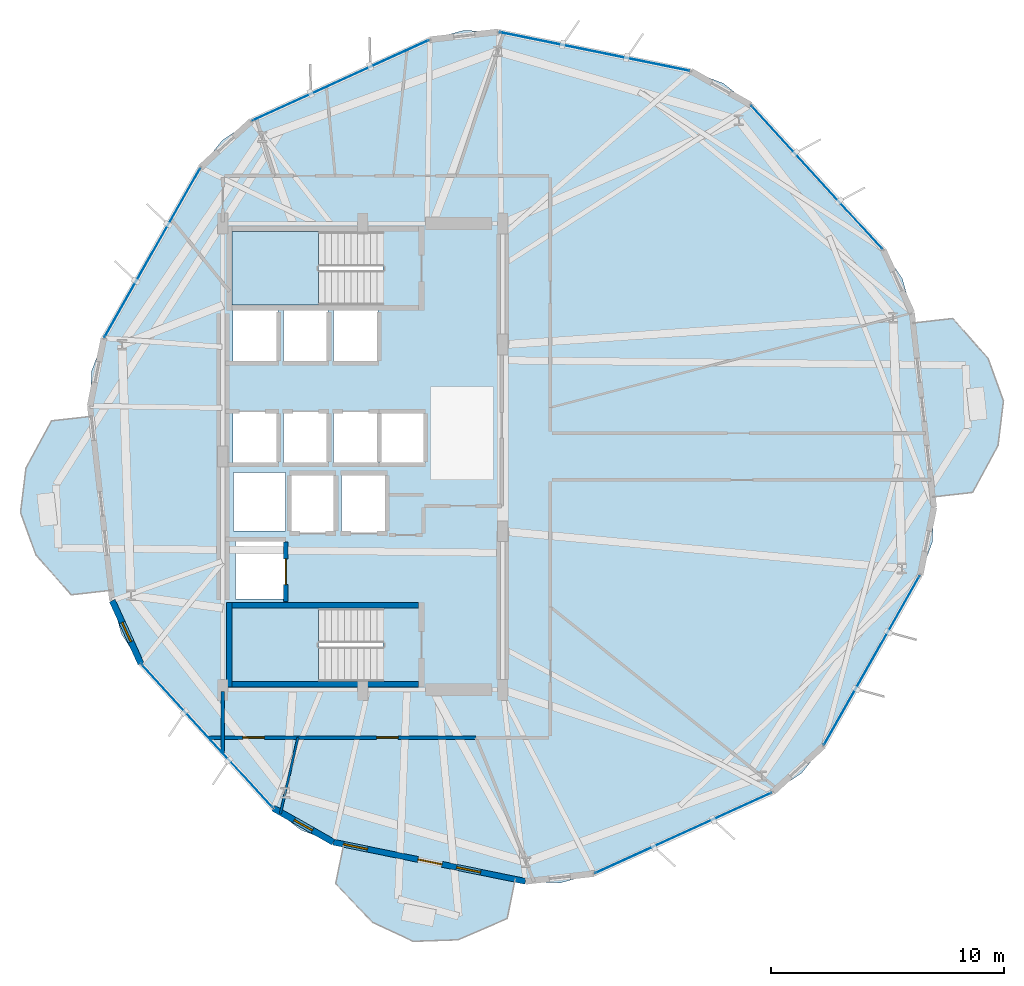
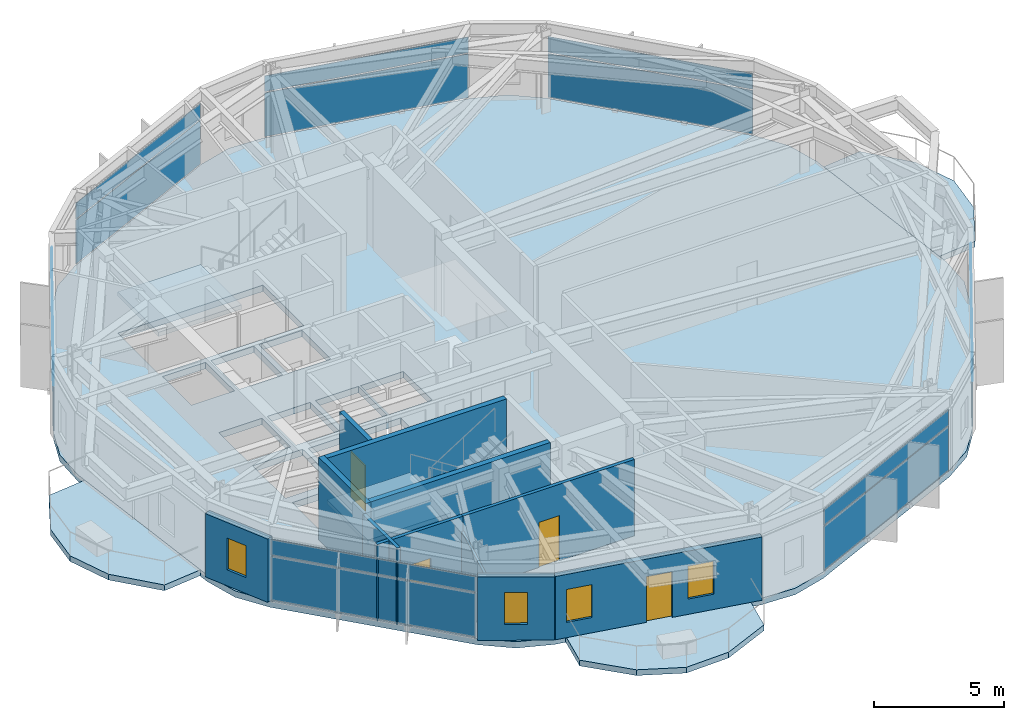
# One storey, part 17 of 23: 14 plates, 11 walls, 6 slabs, 4 doors, 4 windows, 8 openings, 9 elements without a shape of their own.
"""IFC4 building model written with IfcOpenShell, lengths in metres."""

from ifc_helpers import new_model, si_unit, direction, frame, frame_2d, origin, origin_2d, place, context, subcontext, project, spatial, polyline, rectangle, outline, extrude, material, layer, layer_set, type_object, element, fill, aggregate, save


model = new_model("IFC4")

# Units and contexts
model_context = context("Model", 3, precision=1e-05, world=origin(), true_north=direction((0.0, 1.0)))
body_context = subcontext(model_context, "Body", "Model", "MODEL_VIEW")
ifc_project = project(units=[si_unit("LENGTHUNIT", "METRE"), si_unit("AREAUNIT", "SQUARE_METRE"), si_unit("VOLUMEUNIT", "CUBIC_METRE"), si_unit("PLANEANGLEUNIT", "RADIAN"), si_unit("MASSUNIT", "GRAM", prefix="KILO")], contexts=[model_context])

# Site, building, storey
site_placement = place(None, origin())
site = spatial("IfcSite", under=ifc_project, at=site_placement, CompositionType="ELEMENT")
building_placement = place(site_placement, origin())
building = spatial("IfcBuilding", under=site, at=building_placement, Name="Soratama Intermodal Tower", CompositionType="ELEMENT")
storey_placement = place(building_placement, frame((0.0, 0.0, 122.5)))
storey = spatial("IfcBuildingStorey", under=building, at=storey_placement, Name="L29", CompositionType="ELEMENT", Elevation=122.5)

# Curtain wall, plates
ifc_material_1 = material(Name="Double-glazed aluminium curtain wall", Category="aluminium")
ifc_layer_1 = layer(ifc_material_1, 0.159912109375)
ifc_layer_set_1 = layer_set([ifc_layer_1], Name="Double-glazed aluminium curtain wall")
curtain_wall_type = type_object("IfcCurtainWallType", Name="CW-SYS-3", PredefinedType="NOTDEFINED", material=ifc_layer_set_1)
curtain_wall_1_placement = place(storey_placement, origin())
curtain_wall_1 = element("IfcCurtainWall", 1, at=curtain_wall_1_placement, inside=storey, type_object=curtain_wall_type, Name="L29 Faceted Curtain Wall F01", PredefinedType="NOTDEFINED")
ifc_material_2 = material(Name="Low-E laminated double glazing", Category="glass")
ifc_layer_2 = layer(ifc_material_2, 0.028076171875)
ifc_layer_set_2 = layer_set([ifc_layer_2], Name="Low-E laminated double glazing")
plate_type = type_object("IfcPlateType", Name="PT-CWP-3", PredefinedType="CURTAIN_PANEL", material=ifc_layer_set_2)
plate_1_placement = place(storey_placement, frame((58.079345703125, 36.9765625, 0.06005859375), z_axis=(0.0, 0.0, 1.0), x_axis=(-0.675329636073, 0.737516021956, 0.0)))
plate_1 = element("IfcPlate", 2, at=plate_1_placement, type_object=plate_type, Name="CW-3 panel 1.1", PredefinedType="CURTAIN_PANEL", context=body_context, shape_type="SweptSolid", body=[
    extrude(rectangle(XDim=8.285400390625, YDim=0.028076171875, at=origin_2d()), origin(), (0.0, 0.0, 1.0), 2.06005859375),
])
plate_2_placement = place(storey_placement, frame((58.079345703125, 36.9765625, 2.18017578125), z_axis=(0.0, 0.0, 1.0), x_axis=(-0.675329636073, 0.737516021956, 0.0)))
plate_2 = element("IfcPlate", 3, at=plate_2_placement, type_object=plate_type, Name="CW-3 panel 1.2", PredefinedType="CURTAIN_PANEL", context=body_context, shape_type="SweptSolid", body=[
    extrude(rectangle(XDim=8.285400390625, YDim=0.028076171875, at=origin_2d()), origin(), (0.0, 0.0, 1.0), 0.739013671875),
])
aggregate(curtain_wall_1, [plate_1, plate_2])

curtain_wall_2_placement = place(storey_placement, origin())
curtain_wall_2 = element("IfcCurtainWall", 4, at=curtain_wall_2_placement, inside=storey, type_object=curtain_wall_type, Name="L29 Faceted Curtain Wall F02", PredefinedType="NOTDEFINED")
plate_3_placement = place(storey_placement, frame((48.541748046875, 42.377197265625, 0.06005859375), z_axis=(0.0, 0.0, 1.0), x_axis=(-0.97985521247, 0.199709195068, 0.0)))
plate_3 = element("IfcPlate", 5, at=plate_3_placement, type_object=plate_type, Name="CW-3 panel 1.1", PredefinedType="CURTAIN_PANEL", context=body_context, shape_type="SweptSolid", body=[
    extrude(rectangle(XDim=8.28515625, YDim=0.028076171875, at=origin_2d()), origin(), (0.0, 0.0, 1.0), 2.06005859375),
])
plate_4_placement = place(storey_placement, frame((48.541748046875, 42.377197265625, 2.18017578125), z_axis=(0.0, 0.0, 1.0), x_axis=(-0.97985521247, 0.199709195068, 0.0)))
plate_4 = element("IfcPlate", 6, at=plate_4_placement, type_object=plate_type, Name="CW-3 panel 1.2", PredefinedType="CURTAIN_PANEL", context=body_context, shape_type="SweptSolid", body=[
    extrude(rectangle(XDim=8.28515625, YDim=0.028076171875, at=origin_2d()), origin(), (0.0, 0.0, 1.0), 0.739013671875),
])
aggregate(curtain_wall_2, [plate_3, plate_4])

curtain_wall_3_placement = place(storey_placement, origin())
curtain_wall_3 = element("IfcCurtainWall", 7, at=curtain_wall_3_placement, inside=storey, type_object=curtain_wall_type, Name="L29 Faceted Curtain Wall F03", PredefinedType="NOTDEFINED")
plate_5_placement = place(storey_placement, frame((37.6513671875, 41.14013671875, 0.06005859375), z_axis=(0.0, 0.0, 1.0), x_axis=(-0.910103495153, -0.414381018039, 0.0)))
plate_5 = element("IfcPlate", 8, at=plate_5_placement, type_object=plate_type, Name="CW-3 panel 1.1", PredefinedType="CURTAIN_PANEL", context=body_context, shape_type="SweptSolid", body=[
    extrude(rectangle(XDim=8.285400390625, YDim=0.028076171875, at=origin_2d()), origin(), (0.0, 0.0, 1.0), 2.06005859375),
])
plate_6_placement = place(storey_placement, frame((37.6513671875, 41.14013671875, 2.18017578125), z_axis=(0.0, 0.0, 1.0), x_axis=(-0.910103495153, -0.414381018039, 0.0)))
plate_6 = element("IfcPlate", 9, at=plate_6_placement, type_object=plate_type, Name="CW-3 panel 1.2", PredefinedType="CURTAIN_PANEL", context=body_context, shape_type="SweptSolid", body=[
    extrude(rectangle(XDim=8.285400390625, YDim=0.028076171875, at=origin_2d()), origin(), (0.0, 0.0, 1.0), 0.739013671875),
])
aggregate(curtain_wall_3, [plate_5, plate_6])

curtain_wall_4_placement = place(storey_placement, origin())
curtain_wall_4 = element("IfcCurtainWall", 10, at=curtain_wall_4_placement, inside=storey, type_object=curtain_wall_type, Name="L29 Faceted Curtain Wall F04", PredefinedType="NOTDEFINED")
plate_7_placement = place(storey_placement, frame((29.56787109375, 33.73828125, 0.06005859375), z_axis=(0.0, 0.0, 1.0), x_axis=(-0.492728270314, -0.870183228771, 0.0)))
plate_7 = element("IfcPlate", 11, at=plate_7_placement, type_object=plate_type, Name="CW-3 panel 1.1", PredefinedType="CURTAIN_PANEL", context=body_context, shape_type="SweptSolid", body=[
    extrude(rectangle(XDim=8.28515625, YDim=0.028076171875, at=origin_2d()), origin(), (0.0, 0.0, 1.0), 2.06005859375),
])
plate_8_placement = place(storey_placement, frame((29.56787109375, 33.73828125, 2.18017578125), z_axis=(0.0, 0.0, 1.0), x_axis=(-0.492728270314, -0.870183228771, 0.0)))
plate_8 = element("IfcPlate", 12, at=plate_8_placement, type_object=plate_type, Name="CW-3 panel 1.2", PredefinedType="CURTAIN_PANEL", context=body_context, shape_type="SweptSolid", body=[
    extrude(rectangle(XDim=8.28515625, YDim=0.028076171875, at=origin_2d()), origin(), (0.0, 0.0, 1.0), 0.739013671875),
])
aggregate(curtain_wall_4, [plate_7, plate_8])

curtain_wall_5_placement = place(storey_placement, origin())
curtain_wall_5 = element("IfcCurtainWall", 13, at=curtain_wall_5_placement, inside=storey, type_object=curtain_wall_type, Name="L29 Faceted Curtain Wall F06", PredefinedType="NOTDEFINED")
plate_9_placement = place(storey_placement, frame((31.920654296875, 13.0234375, 0.06005859375), z_axis=(0.0, 0.0, 1.0), x_axis=(0.675329636073, -0.737516021956, 0.0)))
plate_9 = element("IfcPlate", 14, at=plate_9_placement, type_object=plate_type, Name="CW-3 panel 1.1", PredefinedType="CURTAIN_PANEL", context=body_context, shape_type="SweptSolid", body=[
    extrude(rectangle(XDim=8.285400390625, YDim=0.028076171875, at=origin_2d()), origin(), (0.0, 0.0, 1.0), 2.06005859375),
])
plate_10_placement = place(storey_placement, frame((31.920654296875, 13.0234375, 2.18017578125), z_axis=(0.0, 0.0, 1.0), x_axis=(0.675329636073, -0.737516021956, 0.0)))
plate_10 = element("IfcPlate", 15, at=plate_10_placement, type_object=plate_type, Name="CW-3 panel 1.2", PredefinedType="CURTAIN_PANEL", context=body_context, shape_type="SweptSolid", body=[
    extrude(rectangle(XDim=8.285400390625, YDim=0.028076171875, at=origin_2d()), origin(), (0.0, 0.0, 1.0), 0.739013671875),
])
aggregate(curtain_wall_5, [plate_9, plate_10])

curtain_wall_6_placement = place(storey_placement, origin())
curtain_wall_6 = element("IfcCurtainWall", 16, at=curtain_wall_6_placement, inside=storey, type_object=curtain_wall_type, Name="L29 Faceted Curtain Wall F08", PredefinedType="NOTDEFINED")
plate_11_placement = place(storey_placement, frame((52.3486328125, 8.85986328125, 0.06005859375), z_axis=(0.0, 0.0, 1.0), x_axis=(0.910103495153, 0.414381018039, 0.0)))
plate_11 = element("IfcPlate", 17, at=plate_11_placement, type_object=plate_type, Name="CW-3 panel 1.1", PredefinedType="CURTAIN_PANEL", context=body_context, shape_type="SweptSolid", body=[
    extrude(rectangle(XDim=8.285400390625, YDim=0.028076171875, at=origin_2d()), origin(), (0.0, 0.0, 1.0), 2.06005859375),
])
plate_12_placement = place(storey_placement, frame((52.3486328125, 8.85986328125, 2.18017578125), z_axis=(0.0, 0.0, 1.0), x_axis=(0.910103495153, 0.414381018039, 0.0)))
plate_12 = element("IfcPlate", 18, at=plate_12_placement, type_object=plate_type, Name="CW-3 panel 1.2", PredefinedType="CURTAIN_PANEL", context=body_context, shape_type="SweptSolid", body=[
    extrude(rectangle(XDim=8.285400390625, YDim=0.028076171875, at=origin_2d()), origin(), (0.0, 0.0, 1.0), 0.739013671875),
])
aggregate(curtain_wall_6, [plate_11, plate_12])

curtain_wall_7_placement = place(storey_placement, origin())
curtain_wall_7 = element("IfcCurtainWall", 19, at=curtain_wall_7_placement, inside=storey, type_object=curtain_wall_type, Name="L29 Faceted Curtain Wall F09", PredefinedType="NOTDEFINED")
plate_13_placement = place(storey_placement, frame((60.43212890625, 16.26171875, 0.06005859375), z_axis=(0.0, 0.0, 1.0), x_axis=(0.492728270314, 0.870183228771, 0.0)))
plate_13 = element("IfcPlate", 20, at=plate_13_placement, type_object=plate_type, Name="CW-3 panel 1.1", PredefinedType="CURTAIN_PANEL", context=body_context, shape_type="SweptSolid", body=[
    extrude(rectangle(XDim=8.28515625, YDim=0.028076171875, at=origin_2d()), origin(), (0.0, 0.0, 1.0), 2.06005859375),
])
plate_14_placement = place(storey_placement, frame((60.43212890625, 16.26171875, 2.18017578125), z_axis=(0.0, 0.0, 1.0), x_axis=(0.492728270314, 0.870183228771, 0.0)))
plate_14 = element("IfcPlate", 21, at=plate_14_placement, type_object=plate_type, Name="CW-3 panel 1.2", PredefinedType="CURTAIN_PANEL", context=body_context, shape_type="SweptSolid", body=[
    extrude(rectangle(XDim=8.28515625, YDim=0.028076171875, at=origin_2d()), origin(), (0.0, 0.0, 1.0), 0.739013671875),
])
aggregate(curtain_wall_7, [plate_13, plate_14])

# Slabs
ifc_material_3 = material(Name="Concrete f'c 42 MPa", Category="concrete")
ifc_layer_3 = layer(ifc_material_3, 0.27001953125)
ifc_layer_set_3 = layer_set([ifc_layer_3], Name="Concrete f'c 42 MPa")
slab_type_1 = type_object("IfcSlabType", Name="SL-EXT-BAL1", PredefinedType="FLOOR", material=ifc_layer_set_3)
slab_1_placement = place(storey_placement, frame((0.0, 0.0, -0.27001953125)))
element("IfcSlab", 22, at=slab_1_placement, inside=storey, type_object=slab_type_1, Name="L29 Planted Balcony East 1", PredefinedType="FLOOR", context=body_context, shape_type="SweptSolid", body=[
    extrude(outline(polyline([(63.044677734375, 23.272705078125), (62.197509765625, 30.730224609375), (63.906494140625, 30.92431640625), (65.4208984375, 29.2080078125), (66.078857421875, 27.394287109375), (65.844482421875, 25.47900390625), (64.753662109375, 23.466796875), (63.044677734375, 23.272705078125)])), origin(), (0.0, 0.0, 1.0), 0.27001953125),
])
slab_2_placement = place(storey_placement, frame((0.0, 0.0, -0.27001953125)))
element("IfcSlab", 23, at=slab_2_placement, inside=storey, type_object=slab_type_1, Name="L29 Planted Balcony West 2", PredefinedType="FLOOR", context=body_context, shape_type="SweptSolid", body=[
    extrude(outline(polyline([(26.955322265625, 26.727294921875), (27.802490234375, 19.269775390625), (26.093505859375, 19.07568359375), (24.5791015625, 20.7919921875), (23.921142578125, 22.605712890625), (24.155517578125, 24.52099609375), (25.246337890625, 26.533203125), (26.955322265625, 26.727294921875)])), origin(), (0.0, 0.0, 1.0), 0.27001953125),
])
slab_3_placement = place(storey_placement, frame((0.0, 0.0, -0.27001953125)))
element("IfcSlab", 24, at=slab_3_placement, inside=storey, type_object=slab_type_1, Name="L29 Planted Balcony South 3", PredefinedType="FLOOR", context=body_context, shape_type="SweptSolid", body=[
    extrude(outline(polyline([(37.78125, 8.372314453125), (45.13525390625, 6.873291015625), (44.791748046875, 5.18798828125), (42.69140625, 4.2783203125), (40.76318359375, 4.212890625), (39.014404296875, 5.027587890625), (37.437744140625, 6.68701171875), (37.78125, 8.372314453125)])), origin(), (0.0, 0.0, 1.0), 0.27001953125),
])

# Stair, slab
ifc_material_4 = material(Name="Concrete f'c 42 MPa", Category="concrete")
stair_type = type_object("IfcStairType", Name="ST-CORE-DOGLEG", PredefinedType="HALF_TURN_STAIR", material=ifc_material_4)
stair_1_placement = place(storey_placement, origin())
stair_1 = element("IfcStair", 25, at=stair_1_placement, inside=storey, type_object=stair_type, Name="L29 ST-1", PredefinedType="HALF_TURN_STAIR")
ifc_material_5 = material(Name="Concrete f'c 42 MPa", Category="concrete")
ifc_layer_4 = layer(ifc_material_5, 0.219970703125)
ifc_layer_set_4 = layer_set([ifc_layer_4], Name="Concrete f'c 42 MPa")
slab_type_2 = type_object("IfcSlabType", Name="SL-STAIR-LAND", PredefinedType="LANDING", material=ifc_layer_set_4)
slab_4_placement = place(storey_placement, frame((0.0, 0.0, 1.75)))
slab_4 = element("IfcSlab", 26, at=slab_4_placement, type_object=slab_type_2, Name="ST-1 landing 1", PredefinedType="LANDING", context=body_context, shape_type="SweptSolid", body=[
    extrude(outline(polyline([(36.699951171875, 18.5), (33.0, 18.5), (33.0, 15.35009765625), (36.699951171875, 15.35009765625), (36.699951171875, 18.5)])), origin(), (0.0, 0.0, 1.0), 0.199951171875),
])
aggregate(stair_1, [slab_4])

stair_2_placement = place(storey_placement, origin())
stair_2 = element("IfcStair", 27, at=stair_2_placement, inside=storey, type_object=stair_type, Name="L29 ST-2", PredefinedType="HALF_TURN_STAIR")
slab_5_placement = place(storey_placement, frame((0.0, 0.0, 1.75)))
slab_5 = element("IfcSlab", 28, at=slab_5_placement, type_object=slab_type_2, Name="ST-2 landing 1", PredefinedType="LANDING", context=body_context, shape_type="SweptSolid", body=[
    extrude(outline(polyline([(36.699951171875, 34.64990234375), (33.0, 34.64990234375), (33.0, 31.5), (36.699951171875, 31.5), (36.699951171875, 34.64990234375)])), origin(), (0.0, 0.0, 1.0), 0.199951171875),
])
aggregate(stair_2, [slab_5])

# Slab
ifc_material_6 = material(Name="Concrete f'c 42 MPa", Category="concrete")
ifc_layer_5 = layer(ifc_material_6, 0.280029296875)
ifc_layer_set_5 = layer_set([ifc_layer_5], Name="Concrete f'c 42 MPa")
slab_type_3 = type_object("IfcSlabType", Name="SL-TWR-280", PredefinedType="FLOOR", material=ifc_layer_set_5)
slab_6_placement = place(storey_placement, frame((0.0, 0.0, -0.300048828125)))
element("IfcSlab", 29, at=slab_6_placement, inside=storey, type_object=slab_type_3, Name="L29 Structural Floor Slab", PredefinedType="FLOOR", context=body_context, shape_type="SweptSolid", body=[
    extrude(outline(polyline([(62.146728515625, 31.17724609375), (61.74609375, 32.62451171875), (60.91748046875, 33.877197265625), (55.2412109375, 40.076171875), (54.066162109375, 41.011474609375), (52.65966796875, 41.537841796875), (44.423828125, 43.216552734375), (42.92333984375, 43.282470703125), (41.47607421875, 42.881591796875), (33.826416015625, 39.398681640625), (32.57373046875, 38.5703125), (31.638427734375, 37.395263671875), (27.4970703125, 30.081298828125), (26.970703125, 28.6748046875), (26.904541015625, 27.17431640625), (27.853271484375, 18.82275390625), (28.25390625, 17.37548828125), (29.08251953125, 16.122802734375), (34.7587890625, 9.923828125), (35.933837890625, 8.988525390625), (37.34033203125, 8.462158203125), (45.576171875, 6.783447265625), (47.07666015625, 6.717529296875), (48.52392578125, 7.118408203125), (56.173583984375, 10.601318359375), (57.42626953125, 11.4296875), (58.361572265625, 12.604736328125), (62.5029296875, 19.918701171875), (63.029296875, 21.3251953125), (63.095458984375, 22.82568359375), (62.146728515625, 31.17724609375)]), holes=[polyline([(33.0, 18.5), (33.0, 15.35009765625), (39.47509765625, 15.35009765625), (39.47509765625, 18.5), (33.0, 18.5)]), polyline([(35.260009765625, 18.889892578125), (35.260009765625, 21.409912109375), (33.139892578125, 21.409912109375), (33.139892578125, 18.889892578125), (35.260009765625, 18.889892578125)]), polyline([(33.050048828125, 21.800048828125), (35.280029296875, 21.800048828125), (35.280029296875, 24.320068359375), (33.050048828125, 24.320068359375), (33.050048828125, 21.800048828125)]), polyline([(34.9599609375, 26.909912109375), (33.0400390625, 26.909912109375), (33.0400390625, 24.68994140625), (34.9599609375, 24.68994140625), (34.9599609375, 26.909912109375)]), polyline([(37.110107421875, 24.68994140625), (37.110107421875, 26.909912109375), (35.18994140625, 26.909912109375), (35.18994140625, 24.68994140625), (37.110107421875, 24.68994140625)]), polyline([(34.9599609375, 29.0400390625), (34.9599609375, 31.260009765625), (33.0400390625, 31.260009765625), (33.0400390625, 29.0400390625), (34.9599609375, 29.0400390625)]), polyline([(37.110107421875, 31.260009765625), (35.18994140625, 31.260009765625), (35.18994140625, 29.0400390625), (37.110107421875, 29.0400390625), (37.110107421875, 31.260009765625)]), polyline([(37.409912109375, 21.739990234375), (37.409912109375, 24.260009765625), (35.489990234375, 24.260009765625), (35.489990234375, 21.739990234375), (37.409912109375, 21.739990234375)]), polyline([(39.610107421875, 21.739990234375), (39.610107421875, 24.260009765625), (37.68994140625, 24.260009765625), (37.68994140625, 21.739990234375), (39.610107421875, 21.739990234375)]), polyline([(39.260009765625, 24.68994140625), (39.260009765625, 26.909912109375), (37.340087890625, 26.909912109375), (37.340087890625, 24.68994140625), (39.260009765625, 24.68994140625)]), polyline([(41.260009765625, 24.68994140625), (41.260009765625, 26.909912109375), (39.340087890625, 26.909912109375), (39.340087890625, 24.68994140625), (41.260009765625, 24.68994140625)]), polyline([(39.260009765625, 29.0400390625), (39.260009765625, 31.260009765625), (37.340087890625, 31.260009765625), (37.340087890625, 29.0400390625), (39.260009765625, 29.0400390625)]), polyline([(39.47509765625, 34.64990234375), (33.0, 34.64990234375), (33.0, 31.5), (39.47509765625, 31.5), (39.47509765625, 34.64990234375)])]), origin(), (0.0, 0.0, 1.0), 0.300048828125),
])

# Wall, openings, door, windows
ifc_material_7 = material(Name="Concrete f'c 42 MPa", Category="concrete")
ifc_layer_6 = layer(ifc_material_7, 0.25)
ifc_layer_set_6 = layer_set([ifc_layer_6], Name="Concrete f'c 42 MPa")
wall_type_1 = type_object("IfcWallType", Name="EW-BAL-250", PredefinedType="SOLIDWALL", material=ifc_layer_set_6)
wall_1_placement = place(storey_placement, frame((37.34033203125, 8.462158203125, 0.0), z_axis=(0.0, 0.0, 1.0), x_axis=(0.979852344118, -0.199723267865, 0.0)))
wall_1 = element("IfcWall", 30, at=wall_1_placement, inside=storey, type_object=wall_type_1, Name="L29 Terrace Wall F07", PredefinedType="SOLIDWALL", context=body_context, shape_type="SweptSolid", body=[
    extrude(rectangle(XDim=8.4052734375, YDim=0.25, at=frame_2d((4.20263671875, 0.0))), origin(), (0.0, 0.0, 1.0), 2.97900390625),
])
opening_1_placement = place(wall_1_placement, frame((3.70263671875, 0.0, 0.0)))
opening_1 = element("IfcOpeningElement", 31, at=opening_1_placement, cuts=wall_1, Name="Opening ED-5", PredefinedType="OPENING", context=body_context, shape_type="SweptSolid", body=[
    extrude(rectangle(XDim=1.050048828125, YDim=2.14990234375, at=frame_2d((0.52490234375, 1.074951171875))), frame((0.0, 0.135009765625, 0.0), z_axis=(0.0, -1.0, 0.0), x_axis=(1.0, 0.0, 0.0)), (0.0, 0.0, 1.0), 0.27001953125),
])
opening_2_placement = place(wall_1_placement, frame((0.43994140625, 0.0, 0.719970703125)))
opening_2 = element("IfcOpeningElement", 32, at=opening_2_placement, cuts=wall_1, Name="Opening WN-5", PredefinedType="OPENING", context=body_context, shape_type="SweptSolid", body=[
    extrude(rectangle(XDim=1.050048828125, YDim=1.550048828125, at=frame_2d((0.52490234375, 0.77490234375))), frame((0.0, 0.135009765625, 0.0), z_axis=(0.0, -1.0, 0.0), x_axis=(1.0, 0.0, 0.0)), (0.0, 0.0, 1.0), 0.27001953125),
])
opening_3_placement = place(wall_1_placement, frame((5.392578125, 0.0, 0.719970703125)))
opening_3 = element("IfcOpeningElement", 33, at=opening_3_placement, cuts=wall_1, Name="Opening WN-5", PredefinedType="OPENING", context=body_context, shape_type="SweptSolid", body=[
    extrude(rectangle(XDim=1.050048828125, YDim=1.550048828125, at=frame_2d((0.52490234375, 0.77490234375))), frame((0.0, 0.135009765625, 0.0), z_axis=(0.0, -1.0, 0.0), x_axis=(1.0, 0.0, 0.0)), (0.0, 0.0, 1.0), 0.27001953125),
])
ifc_material_8 = material(Name="Double-glazed aluminium door", Category="aluminium")
door_type_1 = type_object("IfcDoorType", Name="DR-BAL-1050", OperationType="NOTDEFINED", PredefinedType="DOOR", material=ifc_material_8)
door_1_placement = place(opening_1_placement, origin())
door_1 = element("IfcDoor", 34, at=door_1_placement, inside=storey, type_object=door_type_1, Name="L29 Balcony Door F07", OperationType="SINGLE_SWING_LEFT", OverallHeight=2.14990234375, OverallWidth=1.050048828125, PredefinedType="DOOR", context=body_context, shape_type="SweptSolid", body=[
    extrude(rectangle(XDim=1.050048828125, YDim=2.14990234375, at=frame_2d((0.52490234375, 1.074951171875))), frame((0.0, 0.02490234375, 0.0), z_axis=(0.0, -1.0, 0.0), x_axis=(1.0, 0.0, 0.0)), (0.0, 0.0, 1.0), 0.050048828125),
])
fill(opening_1, door_1)
ifc_material_9 = material(Name="Double-glazed aluminium window", Category="aluminium")
window_type_1 = type_object("IfcWindowType", Name="WN-FAC-1050", PartitioningType="SINGLE_PANEL", PredefinedType="WINDOW", material=ifc_material_9)
window_1_placement = place(opening_2_placement, origin())
window_1 = element("IfcWindow", 35, at=window_1_placement, inside=storey, type_object=window_type_1, Name="L29 Window A F07", OverallHeight=1.550048828125, OverallWidth=1.050048828125, PartitioningType="SINGLE_PANEL", PredefinedType="WINDOW", context=body_context, shape_type="SweptSolid", body=[
    extrude(rectangle(XDim=1.050048828125, YDim=1.550048828125, at=frame_2d((0.52490234375, 0.77490234375))), frame((0.0, 0.030029296875, 0.0), z_axis=(0.0, -1.0, 0.0), x_axis=(1.0, 0.0, 0.0)), (0.0, 0.0, 1.0), 0.06005859375),
])
fill(opening_2, window_1)
window_2_placement = place(opening_3_placement, origin())
window_2 = element("IfcWindow", 36, at=window_2_placement, inside=storey, type_object=window_type_1, Name="L29 Window B F07", OverallHeight=1.550048828125, OverallWidth=1.050048828125, PartitioningType="SINGLE_PANEL", PredefinedType="WINDOW", context=body_context, shape_type="SweptSolid", body=[
    extrude(rectangle(XDim=1.050048828125, YDim=1.550048828125, at=frame_2d((0.52490234375, 0.77490234375))), frame((0.0, 0.030029296875, 0.0), z_axis=(0.0, -1.0, 0.0), x_axis=(1.0, 0.0, 0.0)), (0.0, 0.0, 1.0), 0.06005859375),
])
fill(opening_3, window_2)

# Wall, opening, window
ifc_material_10 = material(Name="Concrete f'c 42 MPa", Category="concrete")
ifc_layer_7 = layer(ifc_material_10, 0.27001953125)
ifc_layer_set_7 = layer_set([ifc_layer_7], Name="Concrete f'c 42 MPa")
wall_type_2 = type_object("IfcWallType", Name="EW-CRN-270", PredefinedType="SOLIDWALL", material=ifc_layer_set_7)
wall_2_placement = place(storey_placement, frame((27.853271484375, 18.82275390625, 0.0), z_axis=(0.0, 0.0, 1.0), x_axis=(0.41436090181, -0.910112654044, 0.0)))
wall_2 = element("IfcWall", 37, at=wall_2_placement, inside=storey, type_object=wall_type_2, Name="L29 Corner Closure Wall 05", PredefinedType="SOLIDWALL", context=body_context, shape_type="SweptSolid", body=[
    extrude(rectangle(XDim=2.966552734375, YDim=0.27001953125, at=frame_2d((1.4833984375, 0.0))), origin(), (0.0, 0.0, 1.0), 2.97900390625),
])
opening_4_placement = place(wall_2_placement, frame((1.033203125, 0.0, 0.75)))
opening_4 = element("IfcOpeningElement", 38, at=opening_4_placement, cuts=wall_2, Name="Opening WN-6", PredefinedType="OPENING", context=body_context, shape_type="SweptSolid", body=[
    extrude(rectangle(XDim=0.89990234375, YDim=1.5, at=frame_2d((0.449951171875, 0.75))), frame((0.0, 0.14501953125, 0.0), z_axis=(0.0, -1.0, 0.0), x_axis=(1.0, 0.0, 0.0)), (0.0, 0.0, 1.0), 0.2900390625),
])
ifc_material_11 = material(Name="Double-glazed aluminium window", Category="aluminium")
window_type_2 = type_object("IfcWindowType", Name="WN-FAC-900", PartitioningType="SINGLE_PANEL", PredefinedType="WINDOW", material=ifc_material_11)
window_3_placement = place(opening_4_placement, origin())
window_3 = element("IfcWindow", 39, at=window_3_placement, inside=storey, type_object=window_type_2, Name="L29 Corner Window 05", OverallHeight=1.5, OverallWidth=0.89990234375, PartitioningType="SINGLE_PANEL", PredefinedType="WINDOW", context=body_context, shape_type="SweptSolid", body=[
    extrude(rectangle(XDim=0.89990234375, YDim=1.5, at=frame_2d((0.449951171875, 0.75))), frame((0.0, 0.030029296875, 0.0), z_axis=(0.0, -1.0, 0.0), x_axis=(1.0, 0.0, 0.0)), (0.0, 0.0, 1.0), 0.06005859375),
])
fill(opening_4, window_3)

wall_3_placement = place(storey_placement, frame((34.7587890625, 9.923828125, 0.0), z_axis=(0.0, 0.0, 1.0), x_axis=(0.870196274844, -0.492705229572, 0.0)))
wall_3 = element("IfcWall", 40, at=wall_3_placement, inside=storey, type_object=wall_type_2, Name="L29 Corner Closure Wall 06", PredefinedType="SOLIDWALL", context=body_context, shape_type="SweptSolid", body=[
    extrude(rectangle(XDim=2.966552734375, YDim=0.27001953125, at=frame_2d((1.4833984375, 0.0))), origin(), (0.0, 0.0, 1.0), 2.97900390625),
])
opening_5_placement = place(wall_3_placement, frame((1.033203125, 0.0, 0.75)))
opening_5 = element("IfcOpeningElement", 41, at=opening_5_placement, cuts=wall_3, Name="Opening WN-6", PredefinedType="OPENING", context=body_context, shape_type="SweptSolid", body=[
    extrude(rectangle(XDim=0.89990234375, YDim=1.5, at=frame_2d((0.449951171875, 0.75))), frame((0.0, 0.14501953125, 0.0), z_axis=(0.0, -1.0, 0.0), x_axis=(1.0, 0.0, 0.0)), (0.0, 0.0, 1.0), 0.2900390625),
])
window_4_placement = place(opening_5_placement, origin())
window_4 = element("IfcWindow", 42, at=window_4_placement, inside=storey, type_object=window_type_2, Name="L29 Corner Window 06", OverallHeight=1.5, OverallWidth=0.89990234375, PartitioningType="SINGLE_PANEL", PredefinedType="WINDOW", context=body_context, shape_type="SweptSolid", body=[
    extrude(rectangle(XDim=0.89990234375, YDim=1.5, at=frame_2d((0.449951171875, 0.75))), frame((0.0, 0.030029296875, 0.0), z_axis=(0.0, -1.0, 0.0), x_axis=(1.0, 0.0, 0.0)), (0.0, 0.0, 1.0), 0.06005859375),
])
fill(opening_5, window_4)

# Wall, opening, door
ifc_material_12 = material(Name="Fire-rated gypsum stud partition", Category="concrete")
ifc_layer_8 = layer(ifc_material_12, 0.14990234375)
ifc_layer_set_8 = layer_set([ifc_layer_8], Name="Fire-rated gypsum stud partition")
wall_type_3 = type_object("IfcWallType", Name="IW-PART-R150", PredefinedType="PARTITIONING", material=ifc_layer_set_8)
wall_4_placement = place(storey_placement, frame((43.455078125, 12.949951171875, 0.0), z_axis=(0.0, 0.0, 1.0), x_axis=(-1.0, 0.0, 0.0)))
wall_4 = element("IfcWall", 43, at=wall_4_placement, inside=storey, type_object=wall_type_3, Name="L29 Partition W-L29-TP006", PredefinedType="PARTITIONING", context=body_context, shape_type="SweptSolid", body=[
    extrude(rectangle(XDim=7.636962890625, YDim=0.14990234375, at=frame_2d((3.818359375, 0.0))), origin(), (0.0, 0.0, 1.0), 3.60009765625),
])
opening_6_placement = place(wall_4_placement, frame((3.343994140625, 0.0, 0.0)))
opening_6 = element("IfcOpeningElement", 44, at=opening_6_placement, cuts=wall_4, Name="Opening ID-6", PredefinedType="OPENING", context=body_context, shape_type="SweptSolid", body=[
    extrude(rectangle(XDim=0.919921875, YDim=2.1201171875, at=frame_2d((0.4599609375, 1.06005859375))), frame((0.0, 0.0849609375, 0.0), z_axis=(0.0, -1.0, 0.0), x_axis=(1.0, 0.0, 0.0)), (0.0, 0.0, 1.0), 0.169921875),
])
ifc_material_13 = material(Name="Solid hardwood acoustic door", Category="wood")
door_type_2 = type_object("IfcDoorType", Name="DR-ROOM-920", OperationType="NOTDEFINED", PredefinedType="DOOR", material=ifc_material_13)
door_2_placement = place(opening_6_placement, origin())
door_2 = element("IfcDoor", 45, at=door_2_placement, inside=storey, type_object=door_type_2, Name="L29 Door D-L29-TP004", OperationType="SINGLE_SWING_LEFT", OverallHeight=2.1201171875, OverallWidth=0.919921875, PredefinedType="DOOR", context=body_context, shape_type="SweptSolid", body=[
    extrude(rectangle(XDim=0.919921875, YDim=2.1201171875, at=frame_2d((0.4599609375, 1.06005859375))), frame((0.0, 0.02490234375, 0.0), z_axis=(0.0, -1.0, 0.0), x_axis=(1.0, 0.0, 0.0)), (0.0, 0.0, 1.0), 0.050048828125),
])
fill(opening_6, door_2)

wall_5_placement = place(storey_placement, frame((35.818115234375, 12.949951171875, 0.0), z_axis=(0.0, 0.0, 1.0), x_axis=(-1.0, 0.0, 0.0)))
wall_5 = element("IfcWall", 46, at=wall_5_placement, inside=storey, type_object=wall_type_3, Name="L29 Partition W-L29-TP016", PredefinedType="PARTITIONING", context=body_context, shape_type="SweptSolid", body=[
    extrude(rectangle(XDim=3.830078125, YDim=0.14990234375, at=frame_2d((1.9150390625, 0.0))), origin(), (0.0, 0.0, 1.0), 3.60009765625),
])
opening_7_placement = place(wall_5_placement, frame((1.43994140625, 0.0, 0.0)))
opening_7 = element("IfcOpeningElement", 47, at=opening_7_placement, cuts=wall_5, Name="Opening ID-6", PredefinedType="OPENING", context=body_context, shape_type="SweptSolid", body=[
    extrude(rectangle(XDim=0.919921875, YDim=2.1201171875, at=frame_2d((0.4599609375, 1.06005859375))), frame((0.0, 0.0849609375, 0.0), z_axis=(0.0, -1.0, 0.0), x_axis=(1.0, 0.0, 0.0)), (0.0, 0.0, 1.0), 0.169921875),
])
door_3_placement = place(opening_7_placement, origin())
door_3 = element("IfcDoor", 48, at=door_3_placement, inside=storey, type_object=door_type_2, Name="L29 Door D-L29-TP007", OperationType="SINGLE_SWING_RIGHT", OverallHeight=2.1201171875, OverallWidth=0.919921875, PredefinedType="DOOR", context=body_context, shape_type="SweptSolid", body=[
    extrude(rectangle(XDim=0.919921875, YDim=2.1201171875, at=frame_2d((0.4599609375, 1.06005859375))), frame((0.0, 0.02490234375, 0.0), z_axis=(0.0, -1.0, 0.0), x_axis=(1.0, 0.0, 0.0)), (0.0, 0.0, 1.0), 0.050048828125),
])
fill(opening_7, door_3)

# Walls
wall_6_placement = place(storey_placement, frame((32.60009765625, 12.281005859375, 0.0), z_axis=(0.0, 0.0, 1.0), x_axis=(0.0, 1.0, 0.0)))
element("IfcWall", 49, at=wall_6_placement, inside=storey, type_object=wall_type_3, Name="L29 Partition W-L29-TP021", PredefinedType="PARTITIONING", context=body_context, shape_type="SweptSolid", body=[
    extrude(rectangle(XDim=2.64892578125, YDim=0.14990234375, at=frame_2d((1.324462890625, 0.0))), origin(), (0.0, 0.0, 1.0), 3.60009765625),
])
ifc_material_14 = material(Name="Fire-rated gypsum stud partition", Category="concrete")
ifc_layer_9 = layer(ifc_material_14, 0.10009765625)
ifc_layer_set_9 = layer_set([ifc_layer_9], Name="Fire-rated gypsum stud partition")
wall_type_4 = type_object("IfcWallType", Name="IW-PART-S100", PredefinedType="PARTITIONING", material=ifc_layer_set_9)
wall_7_placement = place(storey_placement, frame((35.818115234375, 12.949951171875, 0.0), z_axis=(0.0, 0.0, 1.0), x_axis=(-0.224790414322, -0.974407137509, 0.0)))
element("IfcWall", 50, at=wall_7_placement, inside=storey, type_object=wall_type_4, Name="L29 Partition W-L29-TP017", PredefinedType="PARTITIONING", context=body_context, shape_type="SweptSolid", body=[
    extrude(rectangle(XDim=3.35498046875, YDim=0.10009765625, at=frame_2d((1.677490234375, 0.0))), origin(), (0.0, 0.0, 1.0), 2.89501953125),
])

# Wall, opening, door
ifc_material_15 = material(Name="Concrete f'c 42 MPa", Category="concrete")
ifc_layer_10 = layer(ifc_material_15, 0.199951171875)
ifc_layer_set_10 = layer_set([ifc_layer_10], Name="Concrete f'c 42 MPa")
wall_type_5 = type_object("IfcWallType", Name="IW-SHAFT-200", PredefinedType="SOLIDWALL", material=ifc_layer_set_10)
wall_8_placement = place(storey_placement, frame((35.300048828125, 18.7900390625, 0.0), z_axis=(0.0, 0.0, 1.0), x_axis=(0.0, 1.0, 0.0)))
wall_8 = element("IfcWall", 51, at=wall_8_placement, inside=storey, type_object=wall_type_5, Name="L29 SVL-1 Hoistway Wall E", PredefinedType="SOLIDWALL", context=body_context, shape_type="SweptSolid", body=[
    extrude(rectangle(XDim=2.550048828125, YDim=0.199951171875, at=frame_2d((1.27490234375, 0.0))), origin(), (0.0, 0.0, 1.0), 3.60009765625),
])
opening_8_placement = place(wall_8_placement, frame((0.72509765625, 0.0, 0.0)))
opening_8 = element("IfcOpeningElement", 52, at=opening_8_placement, cuts=wall_8, Name="Opening LD-1", PredefinedType="OPENING", context=body_context, shape_type="SweptSolid", body=[
    extrude(rectangle(XDim=1.10009765625, YDim=2.14990234375, at=frame_2d((0.550048828125, 1.074951171875))), frame((0.0, 0.10986328125, 0.0), z_axis=(0.0, -1.0, 0.0), x_axis=(1.0, 0.0, 0.0)), (0.0, 0.0, 1.0), 0.219970703125),
])
ifc_material_16 = material(Name="Steel fire door", Category="steel")
door_type_3 = type_object("IfcDoorType", Name="DR-LIFT-SLIDE", OperationType="NOTDEFINED", PredefinedType="DOOR", material=ifc_material_16)
door_4_placement = place(opening_8_placement, origin())
door_4 = element("IfcDoor", 53, at=door_4_placement, inside=storey, type_object=door_type_3, Name="L29 SVL-1 Sliding Landing Door", OperationType="SLIDING_TO_LEFT", OverallHeight=2.14990234375, OverallWidth=1.10009765625, PredefinedType="DOOR", context=body_context, shape_type="SweptSolid", body=[
    extrude(rectangle(XDim=1.10009765625, YDim=2.14990234375, at=frame_2d((0.550048828125, 1.074951171875))), frame((0.0, 0.02490234375, 0.0), z_axis=(0.0, -1.0, 0.0), x_axis=(1.0, 0.0, 0.0)), (0.0, 0.0, 1.0), 0.050048828125),
])
fill(opening_8, door_4)

# Walls
ifc_material_17 = material(Name="Concrete f'c 56 MPa", Category="concrete")
ifc_layer_11 = layer(ifc_material_17, 0.239990234375)
ifc_layer_set_11 = layer_set([ifc_layer_11], Name="Concrete f'c 56 MPa")
wall_type_6 = type_object("IfcWallType", Name="SW-STAIR-240", PredefinedType="SHEAR", material=ifc_layer_set_11)
wall_9_placement = place(storey_placement, frame((32.8798828125, 15.110107421875, 0.0), z_axis=(0.0, 0.0, 1.0), x_axis=(0.0, 1.0, 0.0)))
element("IfcWall", 54, at=wall_9_placement, inside=storey, type_object=wall_type_6, Name="L29 ST-1 Shaft Shear Wall W", PredefinedType="SHEAR", context=body_context, shape_type="SweptSolid", body=[
    extrude(rectangle(XDim=3.6298828125, YDim=0.239990234375, at=frame_2d((1.81494140625, 0.0))), origin(), (0.0, 0.0, 1.0), 3.89990234375),
])
for number, where, z_axis, x_axis, name in (
    (55, (33.0, 15.22998046875, 0.0), (0.0, 0.0, 1.0), (1.0, 0.0, 0.0), "L29 ST-1 Shaft Shear Wall S"),
    (56, (33.0, 18.6201171875, 0.0), (0.0, 0.0, 1.0), (1.0, 0.0, 0.0), "L29 ST-1 Shaft Shear Wall N"),
):
    element("IfcWall", number, at=place(storey_placement, frame(where, z_axis=z_axis, x_axis=x_axis)), inside=storey, type_object=wall_type_6, Name=name, PredefinedType="SHEAR", context=body_context, shape_type="SweptSolid", body=[
        extrude(rectangle(XDim=8.0, YDim=0.239990234375, at=frame_2d((4.0, 0.0))), origin(), (0.0, 0.0, 1.0), 3.89990234375),
    ])

save(model, "model.ifc")
